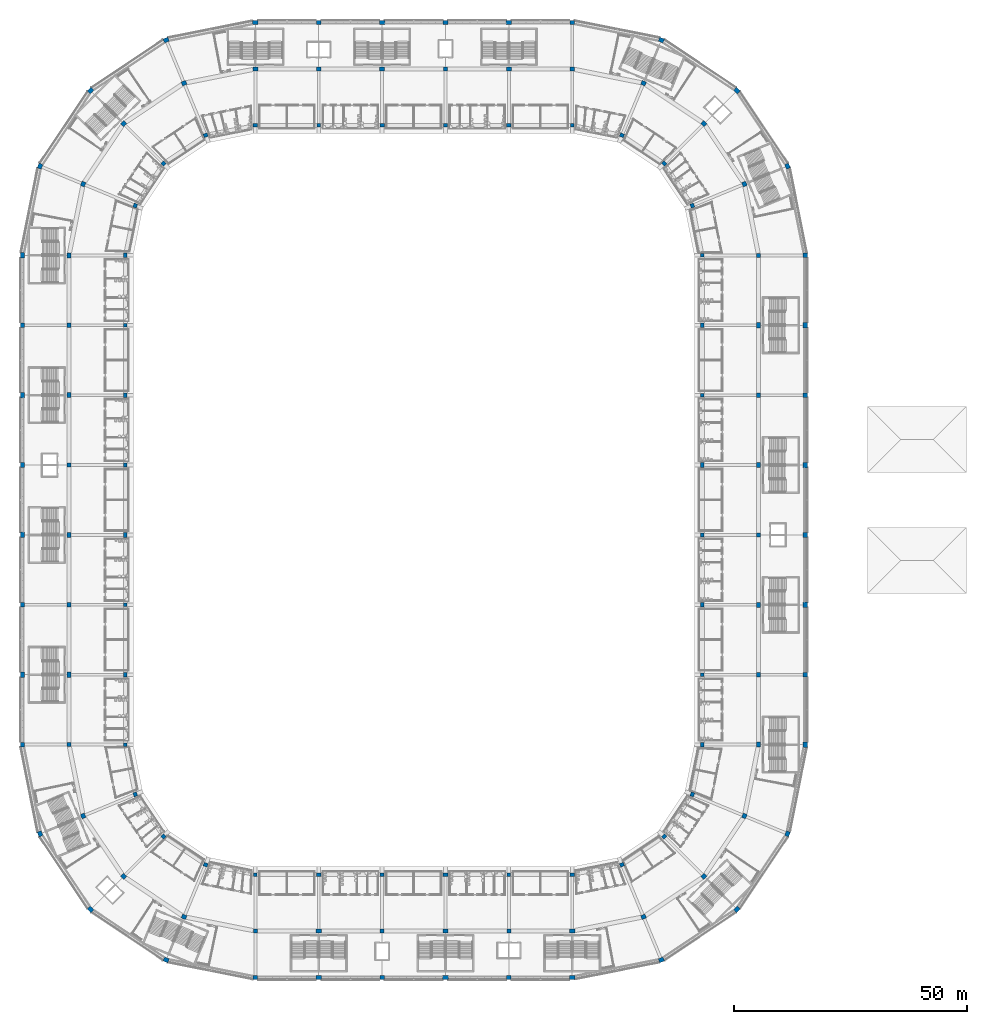
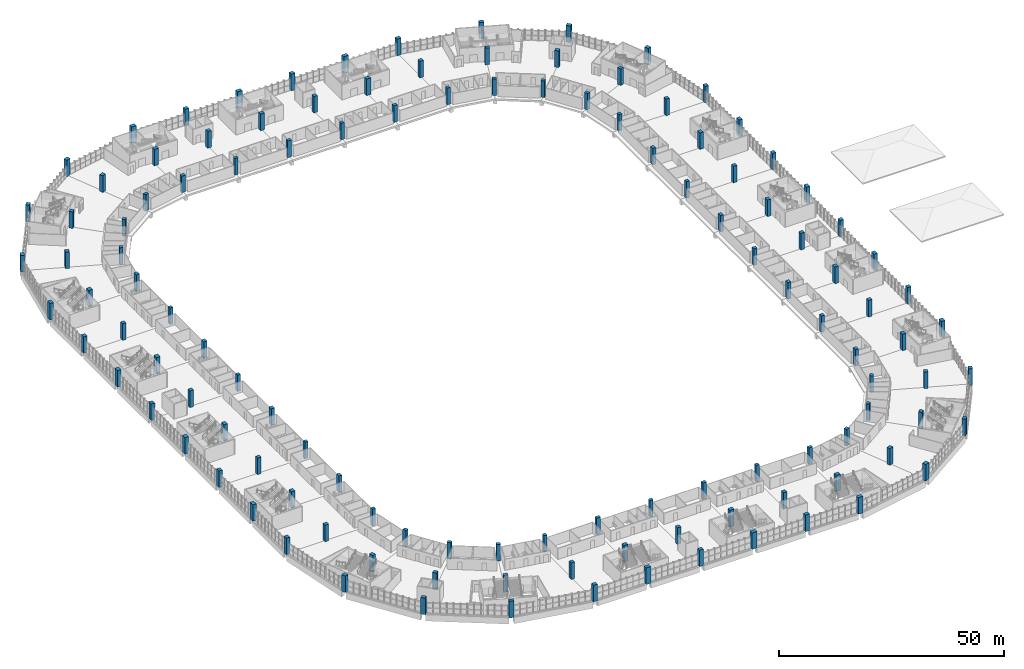
# One storey, part 1 of 199: 120 columns.
"""IFC4 building model written with IfcOpenShell, lengths in metres."""

from ifc_helpers import new_model, si_unit, direction, frame, origin, origin_2d, place, context, subcontext, project, spatial, rectangle, extrude, material, material_profile, profile_set, type_object, element, save


model = new_model("IFC4")

# Units and contexts
model_context = context("Model", 3, precision=1e-05, world=origin(), true_north=direction((0.0, 1.0)))
body_context = subcontext(model_context, "Body", "Model", "MODEL_VIEW")
ifc_project = project(units=[si_unit("LENGTHUNIT", "METRE"), si_unit("AREAUNIT", "SQUARE_METRE"), si_unit("VOLUMEUNIT", "CUBIC_METRE"), si_unit("PLANEANGLEUNIT", "RADIAN"), si_unit("MASSUNIT", "GRAM", prefix="KILO")], contexts=[model_context])

# Site, building, storey
site_placement = place(None, origin())
site = spatial("IfcSite", under=ifc_project, at=site_placement, CompositionType="ELEMENT")
building_placement = place(site_placement, origin())
building = spatial("IfcBuilding", under=site, at=building_placement, Name="Ogive Plaza Stadium", CompositionType="ELEMENT")
storey_placement = place(building_placement, frame((0.0, 0.0, 4.5)))
storey = spatial("IfcBuildingStorey", under=building, at=storey_placement, Name="L01", CompositionType="ELEMENT", Elevation=4.5)

# Columns
ifc_material_1 = material(Name="Concrete C40/50", Category="concrete")
ifc_material_profile_1 = material_profile(ifc_material_1, rectangle(XDim=1.0, YDim=0.800048828125, at=origin_2d()), Name="RC 1000x800")
ifc_profile_set_1 = profile_set([ifc_material_profile_1], Name="Concrete C40/50")
column_type_1 = type_object("IfcColumnType", Name="RC column F3 core 1000x800", PredefinedType="COLUMN", material=ifc_profile_set_1)
for number, where, z_axis, x_axis, name in (
    (1, (61.89990234375, 37.5, 0.0), (0.0, 0.0, 1.0), (0.0, 1.0, 0.0), "Column F3 R02 L01"),
    (2, (61.89990234375, 7.5, 0.0), (0.0, 0.0, 1.0), (0.0, 1.0, 0.0), "Column F3 R04 L01"),
    (3, (61.89990234375, -22.5, 0.0), (0.0, 0.0, 1.0), (0.0, 1.0, 0.0), "Column F3 R06 L01"),
    (4, (61.89990234375, -52.5, 0.0), (0.0, 0.0, 1.0), (0.0, 1.0, 0.0), "Column F3 R08 L01"),
    (5, (34.0, -80.39990234375, 0.0), (0.0, 0.0, 1.0), (1.0, 0.0, 0.0), "Column F3 R12 L01"),
    (6, (6.800048828125, -80.39990234375, 0.0), (0.0, 0.0, 1.0), (1.0, 0.0, 0.0), "Column F3 R14 L01"),
    (7, (-20.39990234375, -80.39990234375, 0.0), (0.0, 0.0, 1.0), (1.0, 0.0, 0.0), "Column F3 R16 L01"),
    (8, (-61.89990234375, -37.5, 0.0), (0.0, 0.0, 1.0), (0.0, -1.0, 0.0), "Column F3 R22 L01"),
    (9, (-61.89990234375, -7.5, 0.0), (0.0, 0.0, 1.0), (0.0, -1.0, 0.0), "Column F3 R24 L01"),
    (10, (-61.89990234375, 22.5, 0.0), (0.0, 0.0, 1.0), (0.0, -1.0, 0.0), "Column F3 R26 L01"),
    (11, (-61.89990234375, 52.5, 0.0), (0.0, 0.0, 1.0), (0.0, -1.0, 0.0), "Column F3 R28 L01"),
    (12, (-34.0, 80.39990234375, 0.0), (0.0, 0.0, 1.0), (-1.0, 0.0, 0.0), "Column F3 R32 L01"),
    (13, (-6.800048828125, 80.39990234375, 0.0), (0.0, 0.0, 1.0), (-1.0, 0.0, 0.0), "Column F3 R34 L01"),
    (14, (20.39990234375, 80.39990234375, 0.0), (0.0, 0.0, 1.0), (-1.0, 0.0, 0.0), "Column F3 R36 L01"),
):
    element("IfcColumn", number, at=place(storey_placement, frame(where, z_axis=z_axis, x_axis=x_axis)), inside=storey, type_object=column_type_1, Name=name, PredefinedType="COLUMN", context=body_context, shape_type="SweptSolid", body=[
        extrude(rectangle(XDim=1.0, YDim=0.800048828125, at=origin_2d()), origin(), (0.0, 0.0, 1.0), 4.5),
    ])
ifc_material_2 = material(Name="Concrete C40/50", Category="concrete")
ifc_material_profile_2 = material_profile(ifc_material_2, rectangle(XDim=0.89990234375, YDim=0.800048828125, at=origin_2d()), Name="RC 900x800")
ifc_profile_set_2 = profile_set([ifc_material_profile_2], Name="Concrete C40/50")
column_type_2 = type_object("IfcColumnType", Name="RC column F3 corner 900x800", PredefinedType="COLUMN", material=ifc_profile_set_2)
for number, where, z_axis, x_axis, name in (
    (15, (59.776123046875, -63.1767578125, 0.0), (0.0, 0.0, 1.0), (0.382683432365, 0.923879532511, 0.0), "Column F3 R09 L01"),
    (16, (53.728271484375, -72.228271484375, 0.0), (0.0, 0.0, 1.0), (0.707106781187, 0.707106781187, 0.0), "Column F3 R10 L01"),
    (17, (44.6767578125, -78.276123046875, 0.0), (0.0, 0.0, 1.0), (0.923879532511, 0.382683432365, 0.0), "Column F3 R11 L01"),
    (18, (-44.6767578125, -78.276123046875, 0.0), (0.0, 0.0, 1.0), (0.923879532511, -0.382683432365, 0.0), "Column F3 R18 L01"),
    (19, (-53.728271484375, -72.228271484375, 0.0), (0.0, 0.0, 1.0), (0.707106781187, -0.707106781187, 0.0), "Column F3 R19 L01"),
    (20, (-59.776123046875, -63.1767578125, 0.0), (0.0, 0.0, 1.0), (0.382683432365, -0.923879532511, 0.0), "Column F3 R20 L01"),
    (21, (-59.776123046875, 63.1767578125, 0.0), (0.0, 0.0, 1.0), (-0.382683432365, -0.923879532511, 0.0), "Column F3 R29 L01"),
    (22, (-53.728271484375, 72.228271484375, 0.0), (0.0, 0.0, 1.0), (-0.707106781187, -0.707106781187, 0.0), "Column F3 R30 L01"),
    (23, (-44.6767578125, 78.276123046875, 0.0), (0.0, 0.0, 1.0), (-0.923879532511, -0.382683432365, 0.0), "Column F3 R31 L01"),
    (24, (44.6767578125, 78.276123046875, 0.0), (0.0, 0.0, 1.0), (-0.923879532511, 0.382683432365, 0.0), "Column F3 R38 L01"),
    (25, (53.728271484375, 72.228271484375, 0.0), (0.0, 0.0, 1.0), (-0.707106781187, 0.707106781187, 0.0), "Column F3 R39 L01"),
    (26, (59.776123046875, 63.1767578125, 0.0), (0.0, 0.0, 1.0), (-0.382683432365, 0.923879532511, 0.0), "Column F3 R40 L01"),
):
    element("IfcColumn", number, at=place(storey_placement, frame(where, z_axis=z_axis, x_axis=x_axis)), inside=storey, type_object=column_type_2, Name=name, PredefinedType="COLUMN", context=body_context, shape_type="SweptSolid", body=[
        extrude(rectangle(XDim=0.89990234375, YDim=0.800048828125, at=origin_2d()), origin(), (0.0, 0.0, 1.0), 4.5),
    ])
ifc_material_3 = material(Name="Concrete C40/50", Category="concrete")
ifc_material_profile_3 = material_profile(ifc_material_3, rectangle(XDim=0.800048828125, YDim=0.800048828125, at=origin_2d()), Name="RC 800x800")
ifc_profile_set_3 = profile_set([ifc_material_profile_3], Name="Concrete C40/50")
column_type_3 = type_object("IfcColumnType", Name="RC column F3 typical 800x800", PredefinedType="COLUMN", material=ifc_profile_set_3)
for number, where, z_axis, x_axis, name in (
    (27, (61.89990234375, 52.5, 0.0), (0.0, 0.0, 1.0), (0.0, 1.0, 0.0), "Column F3 R01 L01"),
    (28, (61.89990234375, 22.5, 0.0), (0.0, 0.0, 1.0), (0.0, 1.0, 0.0), "Column F3 R03 L01"),
    (29, (61.89990234375, -7.5, 0.0), (0.0, 0.0, 1.0), (0.0, 1.0, 0.0), "Column F3 R05 L01"),
    (30, (61.89990234375, -37.5, 0.0), (0.0, 0.0, 1.0), (0.0, 1.0, 0.0), "Column F3 R07 L01"),
    (31, (20.39990234375, -80.39990234375, 0.0), (0.0, 0.0, 1.0), (1.0, 0.0, 0.0), "Column F3 R13 L01"),
    (32, (-6.800048828125, -80.39990234375, 0.0), (0.0, 0.0, 1.0), (1.0, 0.0, 0.0), "Column F3 R15 L01"),
    (33, (-34.0, -80.39990234375, 0.0), (0.0, 0.0, 1.0), (1.0, 0.0, 0.0), "Column F3 R17 L01"),
    (34, (-61.89990234375, -52.5, 0.0), (0.0, 0.0, 1.0), (0.0, -1.0, 0.0), "Column F3 R21 L01"),
    (35, (-61.89990234375, -22.5, 0.0), (0.0, 0.0, 1.0), (0.0, -1.0, 0.0), "Column F3 R23 L01"),
    (36, (-61.89990234375, 7.5, 0.0), (0.0, 0.0, 1.0), (0.0, -1.0, 0.0), "Column F3 R25 L01"),
    (37, (-61.89990234375, 37.5, 0.0), (0.0, 0.0, 1.0), (0.0, -1.0, 0.0), "Column F3 R27 L01"),
    (38, (-20.39990234375, 80.39990234375, 0.0), (0.0, 0.0, 1.0), (-1.0, 0.0, 0.0), "Column F3 R33 L01"),
    (39, (6.800048828125, 80.39990234375, 0.0), (0.0, 0.0, 1.0), (-1.0, 0.0, 0.0), "Column F3 R35 L01"),
    (40, (34.0, 80.39990234375, 0.0), (0.0, 0.0, 1.0), (-1.0, 0.0, 0.0), "Column F3 R37 L01"),
):
    element("IfcColumn", number, at=place(storey_placement, frame(where, z_axis=z_axis, x_axis=x_axis)), inside=storey, type_object=column_type_3, Name=name, PredefinedType="COLUMN", context=body_context, shape_type="SweptSolid", body=[
        extrude(rectangle(XDim=0.800048828125, YDim=0.800048828125, at=origin_2d()), origin(), (0.0, 0.0, 1.0), 4.5),
    ])
ifc_material_4 = material(Name="Concrete C40/50", Category="concrete")
ifc_material_profile_4 = material_profile(ifc_material_4, rectangle(XDim=1.10009765625, YDim=0.89990234375, at=origin_2d()), Name="RC 1100x900")
ifc_profile_set_4 = profile_set([ifc_material_profile_4], Name="Concrete C40/50")
column_type_4 = type_object("IfcColumnType", Name="RC column F4 core 1100x900", PredefinedType="COLUMN", material=ifc_profile_set_4)
for number, where, z_axis, x_axis, name in (
    (41, (74.0, 37.5, 0.0), (0.0, 0.0, 1.0), (0.0, 1.0, 0.0), "Column F4 R02 L01"),
    (42, (74.0, 7.5, 0.0), (0.0, 0.0, 1.0), (0.0, 1.0, 0.0), "Column F4 R04 L01"),
    (43, (74.0, -22.5, 0.0), (0.0, 0.0, 1.0), (0.0, 1.0, 0.0), "Column F4 R06 L01"),
    (44, (74.0, -52.5, 0.0), (0.0, 0.0, 1.0), (0.0, 1.0, 0.0), "Column F4 R08 L01"),
    (45, (34.0, -92.5, 0.0), (0.0, 0.0, 1.0), (1.0, 0.0, 0.0), "Column F4 R12 L01"),
    (46, (6.800048828125, -92.5, 0.0), (0.0, 0.0, 1.0), (1.0, 0.0, 0.0), "Column F4 R14 L01"),
    (47, (-20.39990234375, -92.5, 0.0), (0.0, 0.0, 1.0), (1.0, 0.0, 0.0), "Column F4 R16 L01"),
    (48, (-74.0, -37.5, 0.0), (0.0, 0.0, 1.0), (0.0, -1.0, 0.0), "Column F4 R22 L01"),
    (49, (-74.0, -7.5, 0.0), (0.0, 0.0, 1.0), (0.0, -1.0, 0.0), "Column F4 R24 L01"),
    (50, (-74.0, 22.5, 0.0), (0.0, 0.0, 1.0), (0.0, -1.0, 0.0), "Column F4 R26 L01"),
    (51, (-74.0, 52.5, 0.0), (0.0, 0.0, 1.0), (0.0, -1.0, 0.0), "Column F4 R28 L01"),
    (52, (-34.0, 92.5, 0.0), (0.0, 0.0, 1.0), (-1.0, 0.0, 0.0), "Column F4 R32 L01"),
    (53, (-6.800048828125, 92.5, 0.0), (0.0, 0.0, 1.0), (-1.0, 0.0, 0.0), "Column F4 R34 L01"),
    (54, (20.39990234375, 92.5, 0.0), (0.0, 0.0, 1.0), (-1.0, 0.0, 0.0), "Column F4 R36 L01"),
):
    element("IfcColumn", number, at=place(storey_placement, frame(where, z_axis=z_axis, x_axis=x_axis)), inside=storey, type_object=column_type_4, Name=name, PredefinedType="COLUMN", context=body_context, shape_type="SweptSolid", body=[
        extrude(rectangle(XDim=1.10009765625, YDim=0.89990234375, at=origin_2d()), origin(), (0.0, 0.0, 1.0), 4.5),
    ])
ifc_material_5 = material(Name="Concrete C40/50", Category="concrete")
ifc_material_profile_5 = material_profile(ifc_material_5, rectangle(XDim=1.0, YDim=0.89990234375, at=origin_2d()), Name="RC 1000x900")
ifc_profile_set_5 = profile_set([ifc_material_profile_5], Name="Concrete C40/50")
column_type_5 = type_object("IfcColumnType", Name="RC column F4 corner 1000x900", PredefinedType="COLUMN", material=ifc_profile_set_5)
for number, where, z_axis, x_axis, name in (
    (55, (70.955078125, -67.807373046875, 0.0), (0.0, 0.0, 1.0), (0.382683432365, 0.923879532511, 0.0), "Column F4 R09 L01"),
    (56, (62.2841796875, -80.7841796875, 0.0), (0.0, 0.0, 1.0), (0.707106781187, 0.707106781187, 0.0), "Column F4 R10 L01"),
    (57, (49.307373046875, -89.455078125, 0.0), (0.0, 0.0, 1.0), (0.923879532511, 0.382683432365, 0.0), "Column F4 R11 L01"),
    (58, (-49.307373046875, -89.455078125, 0.0), (0.0, 0.0, 1.0), (0.923879532511, -0.382683432365, 0.0), "Column F4 R18 L01"),
    (59, (-62.2841796875, -80.7841796875, 0.0), (0.0, 0.0, 1.0), (0.707106781187, -0.707106781187, 0.0), "Column F4 R19 L01"),
    (60, (-70.955078125, -67.807373046875, 0.0), (0.0, 0.0, 1.0), (0.382683432365, -0.923879532511, 0.0), "Column F4 R20 L01"),
    (61, (-70.955078125, 67.807373046875, 0.0), (0.0, 0.0, 1.0), (-0.382683432365, -0.923879532511, 0.0), "Column F4 R29 L01"),
    (62, (-62.2841796875, 80.7841796875, 0.0), (0.0, 0.0, 1.0), (-0.707106781187, -0.707106781187, 0.0), "Column F4 R30 L01"),
    (63, (-49.307373046875, 89.455078125, 0.0), (0.0, 0.0, 1.0), (-0.923879532511, -0.382683432365, 0.0), "Column F4 R31 L01"),
    (64, (49.307373046875, 89.455078125, 0.0), (0.0, 0.0, 1.0), (-0.923879532511, 0.382683432365, 0.0), "Column F4 R38 L01"),
    (65, (62.2841796875, 80.7841796875, 0.0), (0.0, 0.0, 1.0), (-0.707106781187, 0.707106781187, 0.0), "Column F4 R39 L01"),
    (66, (70.955078125, 67.807373046875, 0.0), (0.0, 0.0, 1.0), (-0.382683432365, 0.923879532511, 0.0), "Column F4 R40 L01"),
):
    element("IfcColumn", number, at=place(storey_placement, frame(where, z_axis=z_axis, x_axis=x_axis)), inside=storey, type_object=column_type_5, Name=name, PredefinedType="COLUMN", context=body_context, shape_type="SweptSolid", body=[
        extrude(rectangle(XDim=1.0, YDim=0.89990234375, at=origin_2d()), origin(), (0.0, 0.0, 1.0), 4.5),
    ])
ifc_material_6 = material(Name="Concrete C40/50", Category="concrete")
ifc_material_profile_6 = material_profile(ifc_material_6, rectangle(XDim=0.89990234375, YDim=0.89990234375, at=origin_2d()), Name="RC 900x900")
ifc_profile_set_6 = profile_set([ifc_material_profile_6], Name="Concrete C40/50")
column_type_6 = type_object("IfcColumnType", Name="RC column F4 typical 900x900", PredefinedType="COLUMN", material=ifc_profile_set_6)
for number, where, z_axis, x_axis, name in (
    (67, (74.0, 52.5, 0.0), (0.0, 0.0, 1.0), (0.0, 1.0, 0.0), "Column F4 R01 L01"),
    (68, (74.0, 22.5, 0.0), (0.0, 0.0, 1.0), (0.0, 1.0, 0.0), "Column F4 R03 L01"),
    (69, (74.0, -7.5, 0.0), (0.0, 0.0, 1.0), (0.0, 1.0, 0.0), "Column F4 R05 L01"),
    (70, (74.0, -37.5, 0.0), (0.0, 0.0, 1.0), (0.0, 1.0, 0.0), "Column F4 R07 L01"),
    (71, (20.39990234375, -92.5, 0.0), (0.0, 0.0, 1.0), (1.0, 0.0, 0.0), "Column F4 R13 L01"),
    (72, (-6.800048828125, -92.5, 0.0), (0.0, 0.0, 1.0), (1.0, 0.0, 0.0), "Column F4 R15 L01"),
    (73, (-34.0, -92.5, 0.0), (0.0, 0.0, 1.0), (1.0, 0.0, 0.0), "Column F4 R17 L01"),
    (74, (-74.0, -52.5, 0.0), (0.0, 0.0, 1.0), (0.0, -1.0, 0.0), "Column F4 R21 L01"),
    (75, (-74.0, -22.5, 0.0), (0.0, 0.0, 1.0), (0.0, -1.0, 0.0), "Column F4 R23 L01"),
    (76, (-74.0, 7.5, 0.0), (0.0, 0.0, 1.0), (0.0, -1.0, 0.0), "Column F4 R25 L01"),
    (77, (-74.0, 37.5, 0.0), (0.0, 0.0, 1.0), (0.0, -1.0, 0.0), "Column F4 R27 L01"),
    (78, (-20.39990234375, 92.5, 0.0), (0.0, 0.0, 1.0), (-1.0, 0.0, 0.0), "Column F4 R33 L01"),
    (79, (6.800048828125, 92.5, 0.0), (0.0, 0.0, 1.0), (-1.0, 0.0, 0.0), "Column F4 R35 L01"),
    (80, (34.0, 92.5, 0.0), (0.0, 0.0, 1.0), (-1.0, 0.0, 0.0), "Column F4 R37 L01"),
):
    element("IfcColumn", number, at=place(storey_placement, frame(where, z_axis=z_axis, x_axis=x_axis)), inside=storey, type_object=column_type_6, Name=name, PredefinedType="COLUMN", context=body_context, shape_type="SweptSolid", body=[
        extrude(rectangle(XDim=0.89990234375, YDim=0.89990234375, at=origin_2d()), origin(), (0.0, 0.0, 1.0), 4.5),
    ])
ifc_material_7 = material(Name="Concrete C40/50", Category="concrete")
ifc_material_profile_7 = material_profile(ifc_material_7, rectangle(XDim=1.199951171875, YDim=0.89990234375, at=origin_2d()), Name="RC 1200x900")
ifc_profile_set_7 = profile_set([ifc_material_profile_7], Name="Concrete C40/50")
column_type_7 = type_object("IfcColumnType", Name="RC column F5 core 1200x900", PredefinedType="COLUMN", material=ifc_profile_set_7)
for number, where, z_axis, x_axis, name in (
    (81, (84.0, 37.5, 0.0), (0.0, 0.0, 1.0), (0.0, 1.0, 0.0), "Column F5 R02 L01"),
    (82, (84.0, 7.5, 0.0), (0.0, 0.0, 1.0), (0.0, 1.0, 0.0), "Column F5 R04 L01"),
    (83, (84.0, -22.5, 0.0), (0.0, 0.0, 1.0), (0.0, 1.0, 0.0), "Column F5 R06 L01"),
    (84, (84.0, -52.5, 0.0), (0.0, 0.0, 1.0), (0.0, 1.0, 0.0), "Column F5 R08 L01"),
    (85, (34.0, -102.5, 0.0), (0.0, 0.0, 1.0), (1.0, 0.0, 0.0), "Column F5 R12 L01"),
    (86, (6.800048828125, -102.5, 0.0), (0.0, 0.0, 1.0), (1.0, 0.0, 0.0), "Column F5 R14 L01"),
    (87, (-20.39990234375, -102.5, 0.0), (0.0, 0.0, 1.0), (1.0, 0.0, 0.0), "Column F5 R16 L01"),
    (88, (-84.0, -37.5, 0.0), (0.0, 0.0, 1.0), (0.0, -1.0, 0.0), "Column F5 R22 L01"),
    (89, (-84.0, -7.5, 0.0), (0.0, 0.0, 1.0), (0.0, -1.0, 0.0), "Column F5 R24 L01"),
    (90, (-84.0, 22.5, 0.0), (0.0, 0.0, 1.0), (0.0, -1.0, 0.0), "Column F5 R26 L01"),
    (91, (-84.0, 52.5, 0.0), (0.0, 0.0, 1.0), (0.0, -1.0, 0.0), "Column F5 R28 L01"),
    (92, (-34.0, 102.5, 0.0), (0.0, 0.0, 1.0), (-1.0, 0.0, 0.0), "Column F5 R32 L01"),
    (93, (-6.800048828125, 102.5, 0.0), (0.0, 0.0, 1.0), (-1.0, 0.0, 0.0), "Column F5 R34 L01"),
    (94, (20.39990234375, 102.5, 0.0), (0.0, 0.0, 1.0), (-1.0, 0.0, 0.0), "Column F5 R36 L01"),
):
    element("IfcColumn", number, at=place(storey_placement, frame(where, z_axis=z_axis, x_axis=x_axis)), inside=storey, type_object=column_type_7, Name=name, PredefinedType="COLUMN", context=body_context, shape_type="SweptSolid", body=[
        extrude(rectangle(XDim=1.199951171875, YDim=0.89990234375, at=origin_2d()), origin(), (0.0, 0.0, 1.0), 4.5),
    ])
ifc_material_8 = material(Name="Concrete C40/50", Category="concrete")
ifc_material_profile_8 = material_profile(ifc_material_8, rectangle(XDim=1.10009765625, YDim=0.89990234375, at=origin_2d()), Name="RC 1100x900")
ifc_profile_set_8 = profile_set([ifc_material_profile_8], Name="Concrete C40/50")
column_type_8 = type_object("IfcColumnType", Name="RC column F5 corner 1100x900", PredefinedType="COLUMN", material=ifc_profile_set_8)
for number, where, z_axis, x_axis, name in (
    (95, (80.194091796875, -71.63427734375, 0.0), (0.0, 0.0, 1.0), (0.382683432365, 0.923879532511, 0.0), "Column F5 R09 L01"),
    (96, (69.355224609375, -87.855224609375, 0.0), (0.0, 0.0, 1.0), (0.707106781187, 0.707106781187, 0.0), "Column F5 R10 L01"),
    (97, (53.13427734375, -98.694091796875, 0.0), (0.0, 0.0, 1.0), (0.923879532511, 0.382683432365, 0.0), "Column F5 R11 L01"),
    (98, (-53.13427734375, -98.694091796875, 0.0), (0.0, 0.0, 1.0), (0.923879532511, -0.382683432365, 0.0), "Column F5 R18 L01"),
    (99, (-69.355224609375, -87.855224609375, 0.0), (0.0, 0.0, 1.0), (0.707106781187, -0.707106781187, 0.0), "Column F5 R19 L01"),
    (100, (-80.194091796875, -71.63427734375, 0.0), (0.0, 0.0, 1.0), (0.382683432365, -0.923879532511, 0.0), "Column F5 R20 L01"),
    (101, (-80.194091796875, 71.63427734375, 0.0), (0.0, 0.0, 1.0), (-0.382683432365, -0.923879532511, 0.0), "Column F5 R29 L01"),
    (102, (-69.355224609375, 87.855224609375, 0.0), (0.0, 0.0, 1.0), (-0.707106781187, -0.707106781187, 0.0), "Column F5 R30 L01"),
    (103, (-53.13427734375, 98.694091796875, 0.0), (0.0, 0.0, 1.0), (-0.923879532511, -0.382683432365, 0.0), "Column F5 R31 L01"),
    (104, (53.13427734375, 98.694091796875, 0.0), (0.0, 0.0, 1.0), (-0.923879532511, 0.382683432365, 0.0), "Column F5 R38 L01"),
    (105, (69.355224609375, 87.855224609375, 0.0), (0.0, 0.0, 1.0), (-0.707106781187, 0.707106781187, 0.0), "Column F5 R39 L01"),
    (106, (80.194091796875, 71.63427734375, 0.0), (0.0, 0.0, 1.0), (-0.382683432365, 0.923879532511, 0.0), "Column F5 R40 L01"),
):
    element("IfcColumn", number, at=place(storey_placement, frame(where, z_axis=z_axis, x_axis=x_axis)), inside=storey, type_object=column_type_8, Name=name, PredefinedType="COLUMN", context=body_context, shape_type="SweptSolid", body=[
        extrude(rectangle(XDim=1.10009765625, YDim=0.89990234375, at=origin_2d()), origin(), (0.0, 0.0, 1.0), 4.5),
    ])
ifc_material_9 = material(Name="Concrete C40/50", Category="concrete")
ifc_material_profile_9 = material_profile(ifc_material_9, rectangle(XDim=1.0, YDim=0.89990234375, at=origin_2d()), Name="RC 1000x900")
ifc_profile_set_9 = profile_set([ifc_material_profile_9], Name="Concrete C40/50")
column_type_9 = type_object("IfcColumnType", Name="RC column F5 typical 1000x900", PredefinedType="COLUMN", material=ifc_profile_set_9)
for number, where, z_axis, x_axis, name in (
    (107, (84.0, 52.5, 0.0), (0.0, 0.0, 1.0), (0.0, 1.0, 0.0), "Column F5 R01 L01"),
    (108, (84.0, 22.5, 0.0), (0.0, 0.0, 1.0), (0.0, 1.0, 0.0), "Column F5 R03 L01"),
    (109, (84.0, -7.5, 0.0), (0.0, 0.0, 1.0), (0.0, 1.0, 0.0), "Column F5 R05 L01"),
    (110, (84.0, -37.5, 0.0), (0.0, 0.0, 1.0), (0.0, 1.0, 0.0), "Column F5 R07 L01"),
    (111, (20.39990234375, -102.5, 0.0), (0.0, 0.0, 1.0), (1.0, 0.0, 0.0), "Column F5 R13 L01"),
    (112, (-6.800048828125, -102.5, 0.0), (0.0, 0.0, 1.0), (1.0, 0.0, 0.0), "Column F5 R15 L01"),
    (113, (-34.0, -102.5, 0.0), (0.0, 0.0, 1.0), (1.0, 0.0, 0.0), "Column F5 R17 L01"),
    (114, (-84.0, -52.5, 0.0), (0.0, 0.0, 1.0), (0.0, -1.0, 0.0), "Column F5 R21 L01"),
    (115, (-84.0, -22.5, 0.0), (0.0, 0.0, 1.0), (0.0, -1.0, 0.0), "Column F5 R23 L01"),
    (116, (-84.0, 7.5, 0.0), (0.0, 0.0, 1.0), (0.0, -1.0, 0.0), "Column F5 R25 L01"),
    (117, (-84.0, 37.5, 0.0), (0.0, 0.0, 1.0), (0.0, -1.0, 0.0), "Column F5 R27 L01"),
    (118, (-20.39990234375, 102.5, 0.0), (0.0, 0.0, 1.0), (-1.0, 0.0, 0.0), "Column F5 R33 L01"),
    (119, (6.800048828125, 102.5, 0.0), (0.0, 0.0, 1.0), (-1.0, 0.0, 0.0), "Column F5 R35 L01"),
    (120, (34.0, 102.5, 0.0), (0.0, 0.0, 1.0), (-1.0, 0.0, 0.0), "Column F5 R37 L01"),
):
    element("IfcColumn", number, at=place(storey_placement, frame(where, z_axis=z_axis, x_axis=x_axis)), inside=storey, type_object=column_type_9, Name=name, PredefinedType="COLUMN", context=body_context, shape_type="SweptSolid", body=[
        extrude(rectangle(XDim=1.0, YDim=0.89990234375, at=origin_2d()), origin(), (0.0, 0.0, 1.0), 4.5),
    ])

save(model, "model.ifc")
